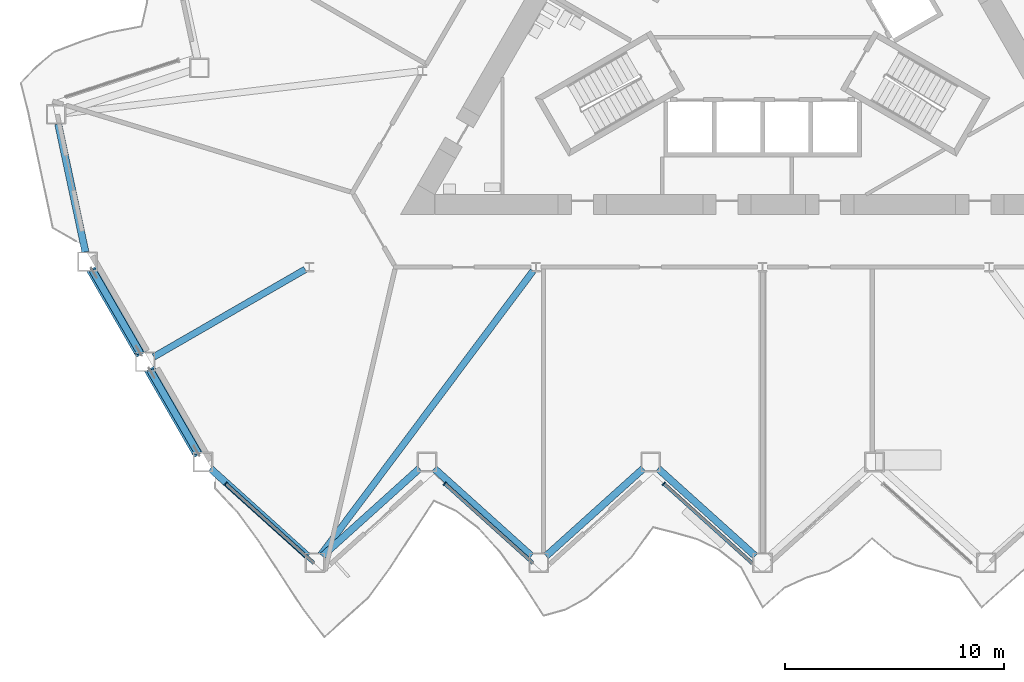
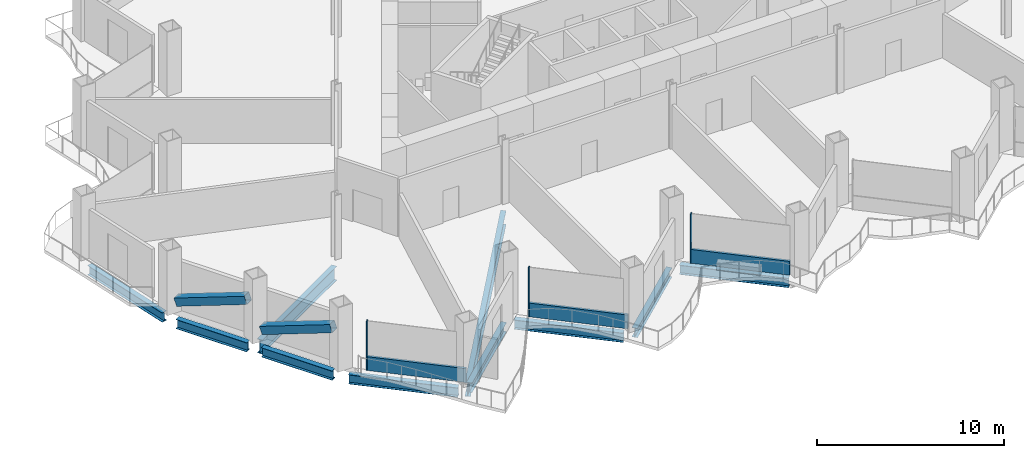
# One storey, part 3 of 21: 10 beams, 8 members, 3 elements without a shape of their own.
"""IFC4 building model written with IfcOpenShell, lengths in metres."""

from ifc_helpers import new_model, si_unit, direction, frame, origin, origin_2d, place, context, subcontext, project, spatial, rectangle, hollow_rectangle, i_section, extrude, material, layer, layer_set, material_profile, profile_set, type_object, element, aggregate, save


model = new_model("IFC4")

# Units and contexts
model_context = context("Model", 3, precision=1e-05, world=origin(), true_north=direction((0.0, 1.0)))
body_context = subcontext(model_context, "Body", "Model", "MODEL_VIEW")
ifc_project = project(units=[si_unit("LENGTHUNIT", "METRE"), si_unit("AREAUNIT", "SQUARE_METRE"), si_unit("VOLUMEUNIT", "CUBIC_METRE"), si_unit("PLANEANGLEUNIT", "RADIAN"), si_unit("MASSUNIT", "GRAM", prefix="KILO")], contexts=[model_context])

# Site, building, storey
site_placement = place(None, origin())
site = spatial("IfcSite", under=ifc_project, at=site_placement, CompositionType="ELEMENT")
building_placement = place(site_placement, origin())
building = spatial("IfcBuilding", under=site, at=building_placement, Name="Cormorant Prow Tower", CompositionType="ELEMENT")
storey_placement = place(building_placement, frame((0.0, 0.0, 103.800048828125)))
storey = spatial("IfcBuildingStorey", under=building, at=storey_placement, Name="L21", CompositionType="ELEMENT", Elevation=103.800048828125)

# Members
ifc_material_1 = material(Name="Structural steel ASTM A500 Gr C", Category="steel")
ifc_material_profile_1 = material_profile(ifc_material_1, hollow_rectangle(XDim=0.508056640625, YDim=0.508056640625, WallThickness=0.014892578125, at=origin_2d()), Name="HSS20x20x5/8")
ifc_profile_set_1 = profile_set([ifc_material_profile_1], Name="Structural steel ASTM A500 Gr C")
member_type_1 = type_object("IfcMemberType", Name="Chamfer brace HSS20x20x5/8", PredefinedType="BRACE", material=ifc_profile_set_1)
for number, where, z_axis, x_axis, name in (
    (1, (-30.535400390625, -12.0849609375, 0.776611328125), (0.467784671838, -0.810243526908, 0.35310469821), (0.866029868417, 0.499992266949, 0.0), "Chamfer brace BR1 at WSW00 L21"),
    (2, (-27.900634765625, -16.648681640625, 0.776611328125), (0.467784671838, -0.810243526908, 0.35310469821), (0.866029868417, 0.499992266949, 0.0), "Chamfer brace BR1 at WSW01 L21"),
):
    element("IfcMember", number, at=place(storey_placement, frame(where, z_axis=z_axis, x_axis=x_axis)), inside=storey, type_object=member_type_1, Name=name, PredefinedType="BRACE", context=body_context, shape_type="SweptSolid", body=[
        extrude(hollow_rectangle(XDim=0.508056640625, YDim=0.508056640625, WallThickness=0.014892578125, at=origin_2d()), origin(), (0.0, 0.0, 1.0), 4.632568359375),
    ])

# Curtain wall, member
ifc_material_2 = material(Name="Aluminium 6063-T6", Category="aluminium")
ifc_layer = layer(ifc_material_2, 0.199951171875)
ifc_layer_set = layer_set([ifc_layer], Name="Aluminium 6063-T6")
curtain_wall_type = type_object("IfcCurtainWallType", Name="Office unitised curtain wall 200", PredefinedType="NOTDEFINED", material=ifc_layer_set)
curtain_wall_1_placement = place(storey_placement, origin())
curtain_wall_1 = element("IfcCurtainWall", 3, at=curtain_wall_1_placement, inside=storey, type_object=curtain_wall_type, Name="Office curtain wall S00", PredefinedType="NOTDEFINED")
ifc_material_3 = material(Name="Aluminium 6063-T6", Category="aluminium")
ifc_material_profile_2 = material_profile(ifc_material_3, rectangle(XDim=0.199951171875, YDim=0.06005859375, at=origin_2d()), Name="Office mullion 60x200")
ifc_profile_set_2 = profile_set([ifc_material_profile_2], Name="Aluminium 6063-T6")
member_type_2 = type_object("IfcMemberType", Name="Office mullion 60x200", PredefinedType="MULLION", material=ifc_profile_set_2)
member_1_placement = place(storey_placement, frame((-24.468505859375, -21.800537109375, 0.0), z_axis=(0.0, 0.0, 1.0), x_axis=(0.669130650497, 0.743144785735, 0.0)))
member_1 = element("IfcMember", 4, at=member_1_placement, type_object=member_type_2, Name="Office mullion S00", PredefinedType="MULLION", context=body_context, shape_type="SweptSolid", body=[
    extrude(rectangle(XDim=0.199951171875, YDim=0.06005859375, at=origin_2d()), origin(), (0.0, 0.0, 1.0), 3.18896484375),
])

curtain_wall_2_placement = place(storey_placement, origin())
curtain_wall_2 = element("IfcCurtainWall", 5, at=curtain_wall_2_placement, inside=storey, type_object=curtain_wall_type, Name="Office curtain wall S02", PredefinedType="NOTDEFINED")
member_2_placement = place(storey_placement, frame((-14.483154296875, -21.800537109375, 0.0), z_axis=(0.0, 0.0, 1.0), x_axis=(0.669130650497, 0.743144785735, 0.0)))
member_2 = element("IfcMember", 6, at=member_2_placement, type_object=member_type_2, Name="Office mullion S02", PredefinedType="MULLION", context=body_context, shape_type="SweptSolid", body=[
    extrude(rectangle(XDim=0.199951171875, YDim=0.06005859375, at=origin_2d()), origin(), (0.0, 0.0, 1.0), 3.18896484375),
])

curtain_wall_3_placement = place(storey_placement, origin())
curtain_wall_3 = element("IfcCurtainWall", 7, at=curtain_wall_3_placement, inside=storey, type_object=curtain_wall_type, Name="Office curtain wall S04", PredefinedType="NOTDEFINED")
member_3_placement = place(storey_placement, frame((-4.497802734375, -21.800537109375, 0.0), z_axis=(0.0, 0.0, 1.0), x_axis=(0.669130650497, 0.743144785735, 0.0)))
member_3 = element("IfcMember", 8, at=member_3_placement, type_object=member_type_2, Name="Office mullion S04", PredefinedType="MULLION", context=body_context, shape_type="SweptSolid", body=[
    extrude(rectangle(XDim=0.199951171875, YDim=0.06005859375, at=origin_2d()), origin(), (0.0, 0.0, 1.0), 3.18896484375),
])

# Member
ifc_material_4 = material(Name="Terracotta", Category="masonry")
ifc_material_profile_3 = material_profile(ifc_material_4, rectangle(XDim=0.159912109375, YDim=0.89990234375, at=origin_2d()), Name="Office terracotta spandrel rail 160x900")
ifc_profile_set_3 = profile_set([ifc_material_profile_3], Name="Terracotta")
member_type_3 = type_object("IfcMemberType", Name="Office terracotta spandrel rail 160x900", PredefinedType="USERDEFINED", material=ifc_profile_set_3)
member_4_placement = place(storey_placement, frame((-24.446044921875, -21.820556640625, 0.449951171875), z_axis=(0.743125087883, -0.669152526528, 0.0), x_axis=(0.669152526528, 0.743125087883, 0.0)))
member_4 = element("IfcMember", 9, at=member_4_placement, type_object=member_type_3, Name="Office spandrel rail S00", ObjectType="TRANSOM", PredefinedType="USERDEFINED", context=body_context, shape_type="SweptSolid", body=[
    extrude(rectangle(XDim=0.159912109375, YDim=0.89990234375, at=origin_2d()), origin(), (0.0, 0.0, 1.0), 5.38623046875),
])

aggregate(curtain_wall_1, [member_1, member_4])

member_5_placement = place(storey_placement, frame((-14.460693359375, -21.820556640625, 0.449951171875), z_axis=(0.743125087883, -0.669152526528, 0.0), x_axis=(0.669152526528, 0.743125087883, 0.0)))
member_5 = element("IfcMember", 10, at=member_5_placement, type_object=member_type_3, Name="Office spandrel rail S02", ObjectType="TRANSOM", PredefinedType="USERDEFINED", context=body_context, shape_type="SweptSolid", body=[
    extrude(rectangle(XDim=0.159912109375, YDim=0.89990234375, at=origin_2d()), origin(), (0.0, 0.0, 1.0), 5.38623046875),
])

aggregate(curtain_wall_2, [member_2, member_5])

member_6_placement = place(storey_placement, frame((-4.475341796875, -21.820556640625, 0.449951171875), z_axis=(0.743125087883, -0.669152526528, 0.0), x_axis=(0.669152526528, 0.743125087883, 0.0)))
member_6 = element("IfcMember", 11, at=member_6_placement, type_object=member_type_3, Name="Office spandrel rail S04", ObjectType="TRANSOM", PredefinedType="USERDEFINED", context=body_context, shape_type="SweptSolid", body=[
    extrude(rectangle(XDim=0.159912109375, YDim=0.89990234375, at=origin_2d()), origin(), (0.0, 0.0, 1.0), 5.38623046875),
])

aggregate(curtain_wall_3, [member_3, member_6])

# Beams
ifc_material_5 = material(Name="Structural steel ASTM A992 Gr 50", Category="steel")
ifc_material_profile_4 = material_profile(ifc_material_5, i_section(OverallWidth=0.3046875, OverallDepth=0.914794921875, WebThickness=0.0166015625, FlangeThickness=0.02587890625, at=origin_2d()), Name="W36x160")
ifc_profile_set_4 = profile_set([ifc_material_profile_4], Name="Structural steel ASTM A992 Gr 50")
beam_type_1 = type_object("IfcBeamType", Name="Radial floor beam W36x160", PredefinedType="BEAM", material=ifc_profile_set_4)
beam_1_placement = place(storey_placement, frame((-20.84521484375, -12.034912109375, -0.857421875), z_axis=(-0.866018715534, -0.50001158421, 0.0), x_axis=(0.50001158421, -0.866018715534, 0.0)))
element("IfcBeam", 12, at=beam_1_placement, inside=storey, type_object=beam_type_1, Name="Radial floor beam FB1 5 L21", PredefinedType="BEAM", context=body_context, shape_type="SweptSolid", body=[
    extrude(i_section(OverallWidth=0.3046875, OverallDepth=0.914794921875, WebThickness=0.0166015625, FlangeThickness=0.02587890625, at=origin_2d()), origin(), (0.0, 0.0, 1.0), 7.967041015625),
])
beam_2_placement = place(storey_placement, frame((-10.458740234375, -12.100341796875, -0.857421875), z_axis=(-0.598722444929, -0.800956574315, 0.0), x_axis=(0.800956574315, -0.598722444929, 0.0)))
element("IfcBeam", 13, at=beam_2_placement, inside=storey, type_object=beam_type_1, Name="Radial floor beam FB1 6 L21", PredefinedType="BEAM", context=body_context, shape_type="SweptSolid", body=[
    extrude(i_section(OverallWidth=0.3046875, OverallDepth=0.914794921875, WebThickness=0.0166015625, FlangeThickness=0.02587890625, at=origin_2d()), origin(), (0.0, 0.0, 1.0), 16.15380859375),
])
ifc_material_6 = material(Name="Structural steel ASTM A992 Gr 50", Category="steel")
ifc_material_profile_5 = material_profile(ifc_material_6, i_section(OverallWidth=0.32373046875, OverallDepth=0.611083984375, WebThickness=0.0126953125, FlangeThickness=0.01904296875, at=origin_2d()), Name="W24x104")
ifc_profile_set_5 = profile_set([ifc_material_profile_5], Name="Structural steel ASTM A992 Gr 50")
beam_type_2 = type_object("IfcBeamType", Name="Spandrel beam W24x104", PredefinedType="SPANDREL", material=ifc_profile_set_5)
for number, where, z_axis, x_axis, name in (
    (14, (-25.165283203125, -21.108154296875, -0.70556640625), (0.743131253571, -0.66914567918, 0.0), (0.66914567918, 0.743131253571, 0.0), "Spandrel beam SB1 S00-S01 L21"),
    (15, (-20.0654296875, -25.09814453125, -0.70556640625), (0.743131253571, 0.66914567918, 0.0), (-0.66914567918, 0.743131253571, 0.0), "Spandrel beam SB1 S01-S02 L21"),
    (16, (-14.96533203125, -21.108154296875, -0.70556640625), (0.743131253571, -0.66914567918, 0.0), (0.66914567918, 0.743131253571, 0.0), "Spandrel beam SB1 S02-S03 L21"),
    (17, (-9.865478515625, -25.09814453125, -0.70556640625), (0.743131253571, 0.66914567918, 0.0), (-0.66914567918, 0.743131253571, 0.0), "Spandrel beam SB1 S03-S04 L21"),
    (18, (-4.765625, -21.108154296875, -0.70556640625), (0.743131253571, -0.66914567918, 0.0), (0.66914567918, 0.743131253571, 0.0), "Spandrel beam SB1 S04-S05 L21"),
    (19, (-32.1025390625, -5.4072265625, -0.70556640625), (0.207912620873, -0.978147403044, 0.0), (0.978147403044, 0.207912620873, 0.0), "Spandrel beam SB1 WNW09-WSW00 L21"),
):
    element("IfcBeam", number, at=place(storey_placement, frame(where, z_axis=z_axis, x_axis=x_axis)), inside=storey, type_object=beam_type_2, Name=name, PredefinedType="SPANDREL", context=body_context, shape_type="SweptSolid", body=[
        extrude(i_section(OverallWidth=0.32373046875, OverallDepth=0.611083984375, WebThickness=0.0126953125, FlangeThickness=0.01904296875, at=origin_2d()), origin(), (0.0, 0.0, 1.0), 5.962890625),
    ])
for number, where, z_axis, x_axis, name in (
    (20, (-30.54443359375, -12.069580078125, -0.70556640625), (0.500002967982, -0.866023690213, 0.0), (0.866023690213, 0.500002967982, 0.0), "Spandrel beam SB1 WSW00-WSW01 L21"),
    (21, (-27.909423828125, -16.63330078125, -0.70556640625), (0.500002967982, -0.866023690213, 0.0), (0.866023690213, 0.500002967982, 0.0), "Spandrel beam SB1 WSW01-S00 L21"),
):
    element("IfcBeam", number, at=place(storey_placement, frame(where, z_axis=z_axis, x_axis=x_axis)), inside=storey, type_object=beam_type_2, Name=name, PredefinedType="SPANDREL", context=body_context, shape_type="SweptSolid", body=[
        extrude(i_section(OverallWidth=0.32373046875, OverallDepth=0.611083984375, WebThickness=0.0126953125, FlangeThickness=0.01904296875, at=origin_2d()), origin(), (0.0, 0.0, 1.0), 4.36962890625),
    ])

save(model, "model.ifc")
